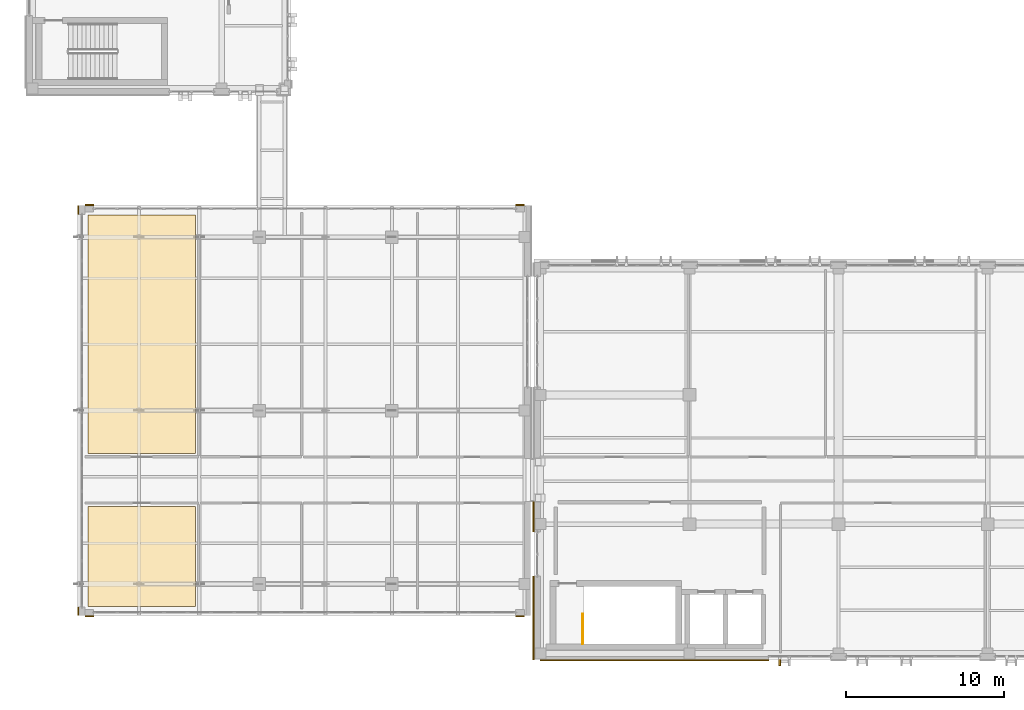
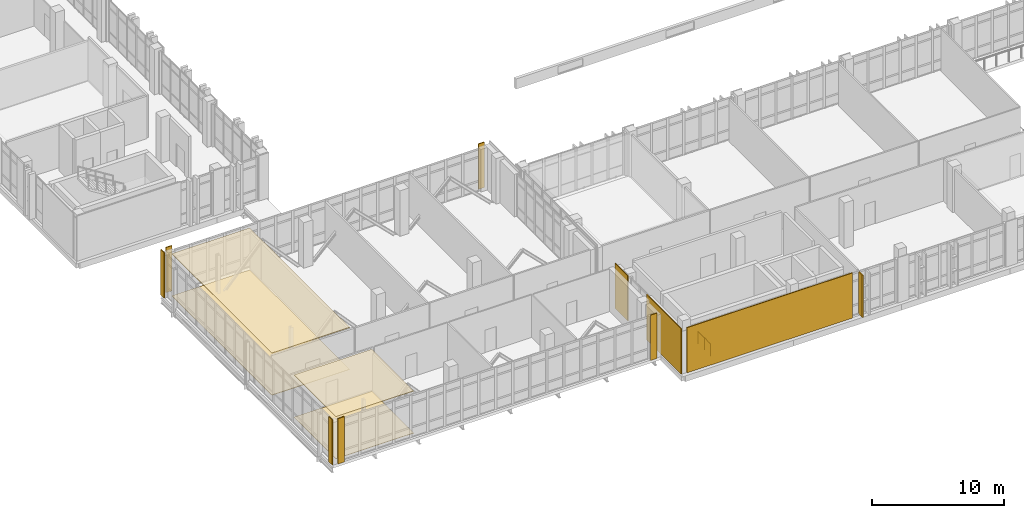
# One storey, part 143 of 158: 13 coverings, 1 railing, 1 shading device.
"""IFC4 building model written with IfcOpenShell, lengths in metres."""

from ifc_helpers import new_model, si_unit, direction, frame, origin, origin_2d, place, context, subcontext, project, spatial, polyline, rectangle, circle, outline, extrude, material, layer, layer_set, type_object, element, save


model = new_model("IFC4")

# Units and contexts
model_context = context("Model", 3, precision=1e-05, world=origin(), true_north=direction((0.0, 1.0)))
body_context = subcontext(model_context, "Body", "Model", "MODEL_VIEW")
ifc_project = project(units=[si_unit("LENGTHUNIT", "METRE"), si_unit("AREAUNIT", "SQUARE_METRE"), si_unit("VOLUMEUNIT", "CUBIC_METRE"), si_unit("PLANEANGLEUNIT", "RADIAN"), si_unit("MASSUNIT", "GRAM", prefix="KILO")], contexts=[model_context])

# Site, building, storey
site_placement = place(None, origin())
site = spatial("IfcSite", under=ifc_project, at=site_placement, CompositionType="ELEMENT")
building_placement = place(site_placement, origin())
building = spatial("IfcBuilding", under=site, at=building_placement, Name="Qalavern Law Courts", CompositionType="ELEMENT")
storey_placement = place(building_placement, frame((0.0, 0.0, 18.60009765625)))
storey = spatial("IfcBuildingStorey", under=building, at=storey_placement, Name="L04", CompositionType="ELEMENT", Elevation=18.60009765625)

# Coverings
ifc_material_1 = material(Name="Precast concrete C40/50", Category="concrete")
ifc_layer_1 = layer(ifc_material_1, 0.072021484375)
ifc_layer_set_1 = layer_set([ifc_layer_1], Name="Precast concrete C40/50")
covering_type_1 = type_object("IfcCoveringType", Name="ENV-CLD-2", PredefinedType="CLADDING", material=ifc_layer_set_1)
for number, where, z_axis, x_axis, name in (
    (1, (6.02001953125, 7.967041015625, 0.009765625), (0.0, 0.0, 1.0), (1.0, 0.0, 0.0), "V1 Absheron limestone pier facing L04 south 1"),
    (2, (33.330078125, 7.967041015625, 0.009765625), (0.0, 0.0, 1.0), (1.0, 0.0, 0.0), "V1 Absheron limestone pier facing L04 south 2"),
    (3, (33.330078125, 34.032958984375, 0.009765625), (0.0, 0.0, 1.0), (-1.0, 0.0, 0.0), "V1 Absheron limestone pier facing L04 north 1"),
    (4, (6.02001953125, 34.032958984375, 0.009765625), (0.0, 0.0, 1.0), (-1.0, 0.0, 0.0), "V1 Absheron limestone pier facing L04 north 2"),
    (5, (5.31689453125, 33.72509765625, 0.009765625), (0.0, 0.0, 1.0), (0.0, -1.0, 0.0), "V1 Absheron limestone pier facing L04 west 1"),
    (6, (5.31689453125, 8.27490234375, 0.009765625), (0.0, 0.0, 1.0), (0.0, -1.0, 0.0), "V1 Absheron limestone pier facing L04 west 2"),
):
    element("IfcCovering", number, at=place(storey_placement, frame(where, z_axis=z_axis, x_axis=x_axis)), inside=storey, type_object=covering_type_1, Name=name, PredefinedType="CLADDING", context=body_context, shape_type="SweptSolid", body=[
        extrude(rectangle(XDim=0.530029296875, YDim=0.072021484375, at=origin_2d()), origin(), (0.0, 0.0, 1.0), 4.179931640625),
    ])
covering_1_placement = place(storey_placement, frame((41.857421875, 5.1669921875, 0.009765625), z_axis=(0.0, 0.0, 1.0), x_axis=(1.0, 0.0, 0.0)))
element("IfcCovering", 7, at=covering_1_placement, inside=storey, type_object=covering_type_1, Name="V2 Absheron limestone pier facing L04 south 1", PredefinedType="CLADDING", context=body_context, shape_type="SweptSolid", body=[
    extrude(rectangle(XDim=14.465087890625, YDim=0.072021484375, at=origin_2d()), origin(), (0.0, 0.0, 1.0), 4.179931640625),
])
covering_2_placement = place(storey_placement, frame((34.18701171875, 14.27490234375, 0.009765625), z_axis=(0.0, 0.0, 1.0), x_axis=(0.0, -1.0, 0.0)))
element("IfcCovering", 8, at=covering_2_placement, inside=storey, type_object=covering_type_1, Name="V2 Absheron limestone pier facing L04 west 1", PredefinedType="CLADDING", context=body_context, shape_type="SweptSolid", body=[
    extrude(rectangle(XDim=1.929931640625, YDim=0.072021484375, at=origin_2d()), origin(), (0.0, 0.0, 1.0), 4.179931640625),
])
covering_3_placement = place(storey_placement, frame((34.18701171875, 7.85009765625, 0.009765625), z_axis=(0.0, 0.0, 1.0), x_axis=(0.0, -1.0, 0.0)))
element("IfcCovering", 9, at=covering_3_placement, inside=storey, type_object=covering_type_1, Name="V2 Absheron limestone pier facing L04 west 2", PredefinedType="CLADDING", context=body_context, shape_type="SweptSolid", body=[
    extrude(rectangle(XDim=5.280029296875, YDim=0.072021484375, at=origin_2d()), origin(), (0.0, 0.0, 1.0), 4.179931640625),
])

# Shading device
shading_device_type = type_object("IfcShadingDeviceType", Name="ENV-FIN-2", PredefinedType="USERDEFINED", material=ifc_material_1)
shading_device_placement = place(storey_placement, frame((49.800048828125, 5.090087890625, 0.009765625), z_axis=(0.0, 0.0, 1.0), x_axis=(0.0, -1.0, 0.0)))
element("IfcShadingDevice", 10, at=shading_device_placement, inside=storey, type_object=shading_device_type, Name="Hall solar shading fin 0145", ObjectType="FIN", PredefinedType="USERDEFINED", context=body_context, shape_type="SweptSolid", body=[
    extrude(rectangle(XDim=0.5400390625, YDim=0.10498046875, at=origin_2d()), origin(), (0.0, 0.0, 1.0), 3.905029296875),
])

# Coverings
ifc_material_2 = material(Name="Perforated gypsum and mineral-wool acoustic ceiling")
ifc_layer_2 = layer(ifc_material_2, 0.0458984375)
ifc_layer_set_2 = layer_set([ifc_layer_2], Name="Perforated gypsum and mineral-wool acoustic ceiling")
covering_type_2 = type_object("IfcCoveringType", Name="INT-CEIL-2", PredefinedType="CEILING", material=ifc_layer_set_2)
covering_4_placement = place(storey_placement, frame((0.0, 0.0, 3.87890625)))
element("IfcCovering", 11, at=covering_4_placement, inside=storey, type_object=covering_type_2, Name="Appellate Public Foyer acoustic ceiling L04", PredefinedType="CEILING", context=body_context, shape_type="SweptSolid", body=[
    extrude(outline(polyline([(5.93994140625, 8.590087890625), (12.738037109375, 8.590087890625), (12.738037109375, 14.929931640625), (5.93994140625, 14.929931640625), (5.93994140625, 8.590087890625)])), origin(), (0.0, 0.0, 1.0), 0.0458984375),
])
ifc_material_3 = material(Name="Slatted oak acoustic timber baffle ceiling", Category="wood")
ifc_layer_3 = layer(ifc_material_3, 0.055908203125)
ifc_layer_set_3 = layer_set([ifc_layer_3], Name="Slatted oak acoustic timber baffle ceiling")
covering_type_3 = type_object("IfcCoveringType", Name="INT-CEIL-3", PredefinedType="CEILING", material=ifc_layer_set_3)
covering_5_placement = place(storey_placement, frame((0.0, 0.0, 3.868896484375)))
element("IfcCovering", 12, at=covering_5_placement, inside=storey, type_object=covering_type_3, Name="Appellate Public Foyer acoustic ceiling L04", PredefinedType="CEILING", context=body_context, shape_type="SweptSolid", body=[
    extrude(outline(polyline([(5.93994140625, 18.27001953125), (12.738037109375, 18.27001953125), (12.738037109375, 33.409912109375), (5.93994140625, 33.409912109375), (5.93994140625, 18.27001953125)])), origin(), (0.0, 0.0, 1.0), 0.055908203125),
])
ifc_material_4 = material(Name="Polished Absheron stone terrazzo flooring", Category="masonry")
ifc_layer_4 = layer(ifc_material_4, 0.030029296875)
ifc_layer_set_4 = layer_set([ifc_layer_4], Name="Polished Absheron stone terrazzo flooring")
covering_type_4 = type_object("IfcCoveringType", Name="INT-FLR-2", PredefinedType="FLOORING", material=ifc_layer_set_4)
covering_6_placement = place(storey_placement, origin())
element("IfcCovering", 13, at=covering_6_placement, inside=storey, type_object=covering_type_4, Name="Appellate Public Foyer finish flooring L04", PredefinedType="FLOORING", context=body_context, shape_type="SweptSolid", body=[
    extrude(outline(polyline([(5.93994140625, 8.590087890625), (12.738037109375, 8.590087890625), (12.738037109375, 14.929931640625), (5.93994140625, 14.929931640625), (5.93994140625, 8.590087890625)])), origin(), (0.0, 0.0, 1.0), 0.02978515625),
])
ifc_material_5 = material(Name="Acoustic engineered oak courtroom flooring")
ifc_layer_5 = layer(ifc_material_5, 0.0380859375)
ifc_layer_set_5 = layer_set([ifc_layer_5], Name="Acoustic engineered oak courtroom flooring")
covering_type_5 = type_object("IfcCoveringType", Name="INT-FLR-3", PredefinedType="FLOORING", material=ifc_layer_set_5)
covering_7_placement = place(storey_placement, origin())
element("IfcCovering", 14, at=covering_7_placement, inside=storey, type_object=covering_type_5, Name="Appellate Public Foyer finish flooring L04", PredefinedType="FLOORING", context=body_context, shape_type="SweptSolid", body=[
    extrude(outline(polyline([(5.93994140625, 18.27001953125), (12.738037109375, 18.27001953125), (12.738037109375, 33.409912109375), (5.93994140625, 33.409912109375), (5.93994140625, 18.27001953125)])), origin(), (0.0, 0.0, 1.0), 0.037841796875),
])

# Railing
ifc_material_6 = material(Name="Steel S355", Category="steel")
railing_type = type_object("IfcRailingType", Name="INT-GUARD-1120", PredefinedType="BALUSTRADE", material=ifc_material_6)
railing_placement = place(storey_placement, frame((37.300048828125, 6.199951171875, 0.0)))
element("IfcRailing", 15, at=railing_placement, inside=storey, type_object=railing_type, Name="L04 ST-K4 top well guard 1", PredefinedType="BALUSTRADE", context=body_context, shape_type="SweptSolid", body=[
    extrude(circle(Radius=0.02392578125, at=origin_2d()), frame((0.0, 0.0, 1.09619140625), z_axis=(0.0, 1.0, 0.0), x_axis=(-1.0, 0.0, 0.0)), (0.0, 0.0, 1.0), 1.900146484375),
    extrude(circle(Radius=0.02099609375, at=origin_2d()), origin(), (0.0, 0.0, 1.0), 1.072021484375),
    extrude(circle(Radius=0.02099609375, at=origin_2d()), frame((0.0, 0.9501953125, 0.0)), (0.0, 0.0, 1.0), 1.072021484375),
    extrude(circle(Radius=0.02099609375, at=origin_2d()), frame((0.0, 1.900146484375, 0.0)), (0.0, 0.0, 1.0), 1.072021484375),
])

save(model, "model.ifc")
